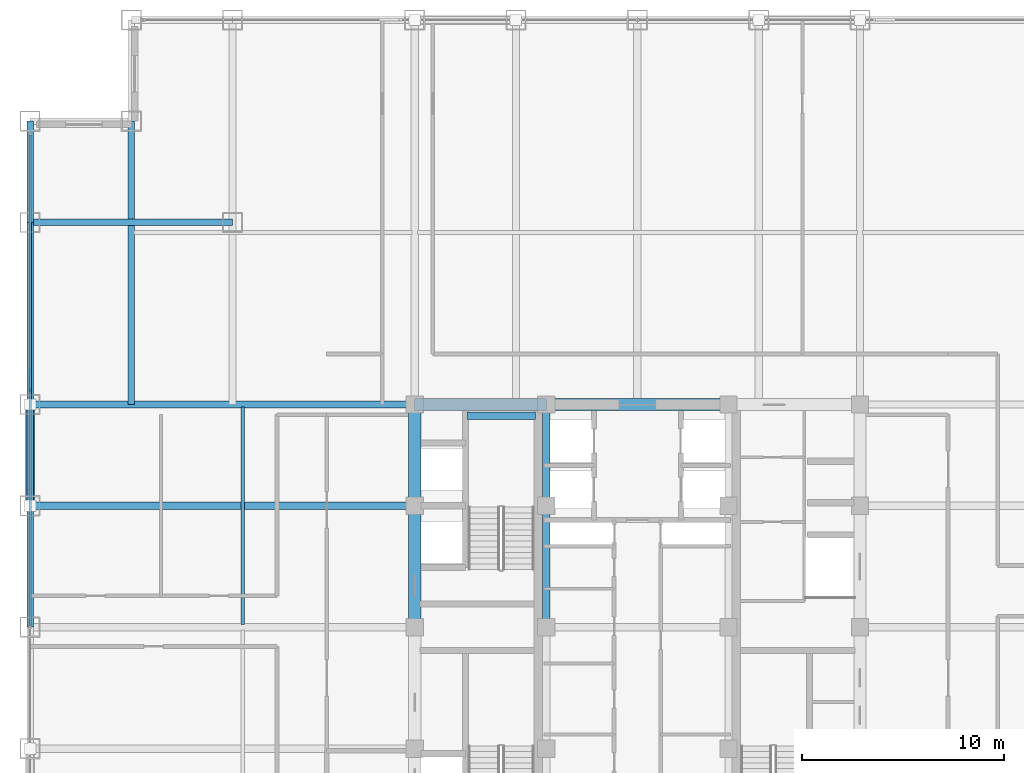
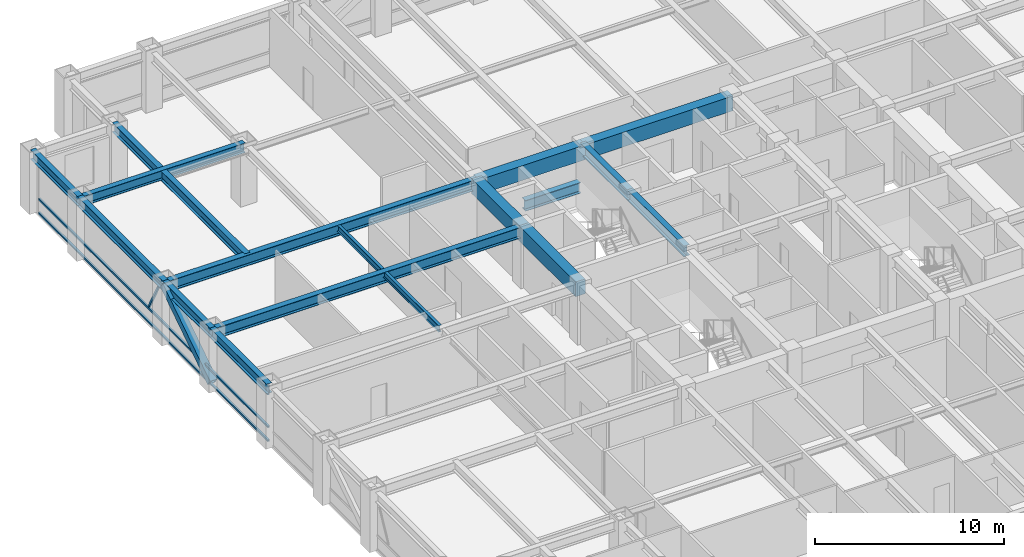
# One storey, part 11 of 24: 16 beams, 5 members, 1 element without a shape of its own.
"""IFC4 building model written with IfcOpenShell, lengths in metres."""

from ifc_helpers import new_model, si_unit, direction, frame, origin, origin_2d, place, context, subcontext, project, spatial, rectangle, hollow_rectangle, i_section, extrude, source, transform, mapped, material, material_profile, profile_set, type_object, element, aggregate, save


model = new_model("IFC4")

# Units and contexts
model_context = context("Model", 3, precision=1e-05, world=origin(), true_north=direction((0.0, 1.0)))
body_context = subcontext(model_context, "Body", "Model", "MODEL_VIEW")
ifc_project = project(units=[si_unit("LENGTHUNIT", "METRE"), si_unit("AREAUNIT", "SQUARE_METRE"), si_unit("VOLUMEUNIT", "CUBIC_METRE"), si_unit("PLANEANGLEUNIT", "RADIAN"), si_unit("MASSUNIT", "GRAM", prefix="KILO")], contexts=[model_context])

# Site, building, storey
site_placement = place(None, origin())
site = spatial("IfcSite", under=ifc_project, at=site_placement, CompositionType="ELEMENT")
building_placement = place(site_placement, origin())
building = spatial("IfcBuilding", under=site, at=building_placement, Name="Khorayat Bourse Tower", CompositionType="ELEMENT")
storey_placement = place(building_placement, frame((0.0, 0.0, 215.10009765625)))
storey = spatial("IfcBuildingStorey", under=building, at=storey_placement, Name="L50", CompositionType="ELEMENT", Elevation=215.10009765625)

# Beams
ifc_material_1 = material(Name="Steel ASTM A992 Grade 50", Category="steel")
ifc_material_profile_1 = material_profile(ifc_material_1, i_section(OverallWidth=0.35498046875, OverallDepth=0.695068359375, WebThickness=0.015380859375, FlangeThickness=0.02490234375, FilletRadius=0.01806640625, at=origin_2d()), Name="W690X217")
ifc_profile_set_1 = profile_set([ifc_material_profile_1], Name="Steel ASTM A992 Grade 50")
beam_type_1 = type_object("IfcBeamType", Name="BM-GIRD-690", PredefinedType="BEAM", material=ifc_profile_set_1)
shared_shape_1 = source(origin(), body_context, "Body", "SweptSolid", [
    extrude(i_section(OverallWidth=0.35498046875, OverallDepth=0.695068359375, WebThickness=0.015380859375, FlangeThickness=0.02490234375, FilletRadius=0.01806640625, at=origin_2d()), origin(), (0.0, 0.0, 1.0), 5.0),
])
beam_1_placement = place(storey_placement, frame((-4.5, 6.0, 3.432373046875), z_axis=(0.0, 1.0, 0.0), x_axis=(-1.0, 0.0, 0.0)))
element("IfcBeam", 1, at=beam_1_placement, inside=storey, type_object=beam_type_1, Name="L50 BM-GIRD-690 BM-L50-CRX-08", PredefinedType="BEAM", context=body_context, shape_type="MappedRepresentation", body=[
    mapped(shared_shape_1, transform((0.0, 0.0, 0.0), scale=1.0)),
])
shared_shape_2 = source(origin(), body_context, "Body", "SweptSolid", [
    extrude(i_section(OverallWidth=0.35498046875, OverallDepth=0.695068359375, WebThickness=0.015380859375, FlangeThickness=0.02490234375, FilletRadius=0.01806640625, at=origin_2d()), origin(), (0.0, 0.0, 1.0), 6.0),
])
beam_2_placement = place(storey_placement, frame((-4.5, 0.0, 3.432373046875), z_axis=(0.0, 1.0, 0.0), x_axis=(-1.0, 0.0, 0.0)))
element("IfcBeam", 2, at=beam_2_placement, inside=storey, type_object=beam_type_1, Name="L50 BM-GIRD-690 BM-L50-CRX-07", PredefinedType="BEAM", context=body_context, shape_type="MappedRepresentation", body=[
    mapped(shared_shape_2, transform((0.0, 0.0, 0.0), scale=1.0)),
])
shared_shape_3 = source(origin(), body_context, "Body", "SweptSolid", [
    extrude(i_section(OverallWidth=0.35498046875, OverallDepth=0.695068359375, WebThickness=0.015380859375, FlangeThickness=0.02490234375, FilletRadius=0.01806640625, at=origin_2d()), origin(), (0.0, 0.0, 1.0), 3.39990234375),
])
beam_3_placement = place(storey_placement, frame((-8.419921875, 10.449951171875, 1.452392578125), z_axis=(1.0, 0.0, 0.0), x_axis=(0.0, 1.0, 0.0)))
element("IfcBeam", 3, at=beam_3_placement, inside=storey, type_object=beam_type_1, Name="L50 BM-GIRD-690 BM-L50-ST2L", PredefinedType="BEAM", context=body_context, shape_type="MappedRepresentation", body=[
    mapped(shared_shape_3, transform((0.0, 0.0, 0.0), scale=1.0)),
])
ifc_material_profile_2 = material_profile(ifc_material_1, i_section(OverallWidth=0.324951171875, OverallDepth=0.615966796875, WebThickness=0.013916015625, FlangeThickness=0.021484375, FilletRadius=0.01611328125, at=origin_2d()), Name="W610X174")
ifc_profile_set_2 = profile_set([ifc_material_profile_2], Name="Steel ASTM A992 Grade 50")
beam_type_2 = type_object("IfcBeamType", Name="BM-GIRD-610", PredefinedType="BEAM", material=ifc_profile_set_2)
shared_shape_4 = source(origin(), body_context, "Body", "SweptSolid", [
    extrude(i_section(OverallWidth=0.324951171875, OverallDepth=0.615966796875, WebThickness=0.013916015625, FlangeThickness=0.021484375, FilletRadius=0.01611328125, at=origin_2d()), origin(), (0.0, 0.0, 1.0), 10.0),
])
beam_4_placement = place(storey_placement, frame((-30.0, 20.0, 3.471923828125), z_axis=(1.0, 0.0, 0.0), x_axis=(0.0, 1.0, 0.0)))
element("IfcBeam", 4, at=beam_4_placement, inside=storey, type_object=beam_type_2, Name="L50 BM-GIRD-610 BM-L50-CNRX-095", PredefinedType="BEAM", context=body_context, shape_type="MappedRepresentation", body=[
    mapped(shared_shape_4, transform((0.0, 0.0, 0.0), scale=1.0)),
])
ifc_material_profile_3 = material_profile(ifc_material_1, i_section(OverallWidth=0.180908203125, OverallDepth=0.4169921875, WebThickness=0.010986328125, FlangeThickness=0.018310546875, FilletRadius=0.011962890625, at=origin_2d()), Name="W410X85")
ifc_profile_set_3 = profile_set([ifc_material_profile_3], Name="Steel ASTM A992 Grade 50")
beam_type_3 = type_object("IfcBeamType", Name="BM-JOIST-410", PredefinedType="JOIST", material=ifc_profile_set_3)
shared_shape_5 = source(origin(), body_context, "Body", "SweptSolid", [
    extrude(i_section(OverallWidth=0.180908203125, OverallDepth=0.4169921875, WebThickness=0.010986328125, FlangeThickness=0.018310546875, FilletRadius=0.011962890625, at=origin_2d()), origin(), (0.0, 0.0, 1.0), 10.740234375),
])
beam_5_placement = place(storey_placement, frame((-19.5, 0.1298828125, 3.5712890625), z_axis=(0.0, 1.0, 0.0), x_axis=(-1.0, 0.0, 0.0)))
element("IfcBeam", 5, at=beam_5_placement, inside=storey, type_object=beam_type_3, Name="L50 BM-JOIST-410 BM-L50-JSTY-103", PredefinedType="JOIST", context=body_context, shape_type="MappedRepresentation", body=[
    mapped(shared_shape_5, transform((0.0, 0.0, 0.0), scale=1.0)),
])
ifc_material_profile_4 = material_profile(ifc_material_1, i_section(OverallWidth=0.324951171875, OverallDepth=0.615966796875, WebThickness=0.013916015625, FlangeThickness=0.021484375, FilletRadius=0.01611328125, at=origin_2d()), Name="W610X174")
ifc_profile_set_4 = profile_set([ifc_material_profile_4], Name="Steel ASTM A992 Grade 50")
beam_type_4 = type_object("IfcBeamType", Name="BM-SPAN-610", PredefinedType="SPANDREL", material=ifc_profile_set_4)
shared_shape_6 = source(origin(), body_context, "Body", "SweptSolid", [
    extrude(i_section(OverallWidth=0.324951171875, OverallDepth=0.615966796875, WebThickness=0.013916015625, FlangeThickness=0.021484375, FilletRadius=0.01611328125, at=origin_2d()), origin(), (0.0, 0.0, 1.0), 9.0),
])
beam_6_placement = place(storey_placement, frame((-30.0, 11.0, 3.471923828125), z_axis=(0.0, 1.0, 0.0), x_axis=(-1.0, 0.0, 0.0)))
element("IfcBeam", 6, at=beam_6_placement, inside=storey, type_object=beam_type_4, Name="L50 BM-SPAN-610 BM-L50-SPN-055", PredefinedType="SPANDREL", context=body_context, shape_type="MappedRepresentation", body=[
    mapped(shared_shape_6, transform((0.0, 0.0, 0.0), scale=1.0)),
])
shared_shape_7 = source(origin(), body_context, "Body", "SweptSolid", [
    extrude(i_section(OverallWidth=0.324951171875, OverallDepth=0.615966796875, WebThickness=0.013916015625, FlangeThickness=0.021484375, FilletRadius=0.01611328125, at=origin_2d()), origin(), (0.0, 0.0, 1.0), 5.0),
])
for number, where, z_axis, x_axis, name in (
    (7, (-30.0, 20.0, 3.471923828125), (0.0, 1.0, 0.0), (-1.0, 0.0, 0.0), "L50 BM-SPAN-610 BM-L50-SPN-054"),
    (8, (-30.0, 6.0, 3.471923828125), (0.0, 1.0, 0.0), (-1.0, 0.0, 0.0), "L50 BM-SPAN-610 BM-L50-SPN-056"),
):
    element("IfcBeam", number, at=place(storey_placement, frame(where, z_axis=z_axis, x_axis=x_axis)), inside=storey, type_object=beam_type_4, Name=name, PredefinedType="SPANDREL", context=body_context, shape_type="MappedRepresentation", body=[
        mapped(shared_shape_7, transform((0.0, 0.0, 0.0), scale=1.0)),
    ])
shared_shape_8 = source(origin(), body_context, "Body", "SweptSolid", [
    extrude(i_section(OverallWidth=0.324951171875, OverallDepth=0.615966796875, WebThickness=0.013916015625, FlangeThickness=0.021484375, FilletRadius=0.01611328125, at=origin_2d()), origin(), (0.0, 0.0, 1.0), 6.0),
])
beam_7_placement = place(storey_placement, frame((-30.0, 0.0, 3.471923828125), z_axis=(0.0, 1.0, 0.0), x_axis=(-1.0, 0.0, 0.0)))
element("IfcBeam", 9, at=beam_7_placement, inside=storey, type_object=beam_type_4, Name="L50 BM-SPAN-610 BM-L50-SPN-057", PredefinedType="SPANDREL", context=body_context, shape_type="MappedRepresentation", body=[
    mapped(shared_shape_8, transform((0.0, 0.0, 0.0), scale=1.0)),
])
ifc_material_2 = material(Name="Concrete C60/75", Category="concrete")
ifc_material_profile_5 = material_profile(ifc_material_2, rectangle(XDim=0.60009765625, YDim=0.949951171875, at=origin_2d()), Name="RC 600x950")
ifc_profile_set_5 = profile_set([ifc_material_profile_5], Name="Concrete C60/75")
beam_type_5 = type_object("IfcBeamType", Name="BM-COUP-950", PredefinedType="BEAM", material=ifc_profile_set_5)
shared_shape_9 = source(origin(), body_context, "Body", "SweptSolid", [
    extrude(rectangle(XDim=0.60009765625, YDim=0.949951171875, at=origin_2d()), origin(), (0.0, 0.0, 1.0), 5.0),
])
beam_8_placement = place(storey_placement, frame((-11.0, 6.0, 3.304931640625), z_axis=(0.0, 1.0, 0.0), x_axis=(-1.0, 0.0, 0.0)))
element("IfcBeam", 10, at=beam_8_placement, inside=storey, type_object=beam_type_5, Name="L50 BM-COUP-950 BM-L50-CRX-04", PredefinedType="BEAM", context=body_context, shape_type="MappedRepresentation", body=[
    mapped(shared_shape_9, transform((0.0, 0.0, 0.0), scale=1.0)),
])
shared_shape_10 = source(origin(), body_context, "Body", "SweptSolid", [
    extrude(rectangle(XDim=0.60009765625, YDim=0.949951171875, at=origin_2d()), origin(), (0.0, 0.0, 1.0), 6.0),
])
beam_9_placement = place(storey_placement, frame((-11.0, 0.0, 3.304931640625), z_axis=(0.0, 1.0, 0.0), x_axis=(-1.0, 0.0, 0.0)))
element("IfcBeam", 11, at=beam_9_placement, inside=storey, type_object=beam_type_5, Name="L50 BM-COUP-950 BM-L50-CRX-03", PredefinedType="BEAM", context=body_context, shape_type="MappedRepresentation", body=[
    mapped(shared_shape_10, transform((0.0, 0.0, 0.0), scale=1.0)),
])
shared_shape_11 = source(origin(), body_context, "Body", "SweptSolid", [
    extrude(rectangle(XDim=0.60009765625, YDim=0.949951171875, at=origin_2d()), origin(), (0.0, 0.0, 1.0), 6.5),
])
beam_10_placement = place(storey_placement, frame((-11.0, 11.0, 3.304931640625), z_axis=(1.0, 0.0, 0.0), x_axis=(0.0, 1.0, 0.0)))
element("IfcBeam", 12, at=beam_10_placement, inside=storey, type_object=beam_type_5, Name="L50 BM-COUP-950 BM-L50-CRY-20", PredefinedType="BEAM", context=body_context, shape_type="MappedRepresentation", body=[
    mapped(shared_shape_11, transform((0.0, 0.0, 0.0), scale=1.0)),
])
shared_shape_12 = source(origin(), body_context, "Body", "SweptSolid", [
    extrude(rectangle(XDim=0.60009765625, YDim=0.949951171875, at=origin_2d()), origin(), (0.0, 0.0, 1.0), 9.0),
])
beam_11_placement = place(storey_placement, frame((-4.5, 11.0, 3.304931640625), z_axis=(1.0, 0.0, 0.0), x_axis=(0.0, 1.0, 0.0)))
element("IfcBeam", 13, at=beam_11_placement, inside=storey, type_object=beam_type_5, Name="L50 BM-COUP-950 BM-L50-CRY-21", PredefinedType="BEAM", context=body_context, shape_type="MappedRepresentation", body=[
    mapped(shared_shape_12, transform((0.0, 0.0, 0.0), scale=1.0)),
])
shared_shape_13 = source(origin(), body_context, "Body", "SweptSolid", [
    extrude(i_section(OverallWidth=0.35498046875, OverallDepth=0.695068359375, WebThickness=0.015380859375, FlangeThickness=0.02490234375, FilletRadius=0.01806640625, at=origin_2d()), origin(), (0.0, 0.0, 1.0), 19.0),
])
for number, where, z_axis, x_axis, name in (
    (14, (-30.0, 6.0, 3.432373046875), (1.0, 0.0, 0.0), (0.0, 1.0, 0.0), "L50 BM-GIRD-690 BM-L50-RADX-081"),
    (15, (-30.0, 11.0, 3.432373046875), (1.0, 0.0, 0.0), (0.0, 1.0, 0.0), "L50 BM-GIRD-690 BM-L50-RADX-083"),
):
    element("IfcBeam", number, at=place(storey_placement, frame(where, z_axis=z_axis, x_axis=x_axis)), inside=storey, type_object=beam_type_1, Name=name, PredefinedType="BEAM", context=body_context, shape_type="MappedRepresentation", body=[
        mapped(shared_shape_13, transform((0.0, 0.0, 0.0), scale=1.0)),
    ])
shared_shape_14 = source(origin(), body_context, "Body", "SweptSolid", [
    extrude(i_section(OverallWidth=0.324951171875, OverallDepth=0.615966796875, WebThickness=0.013916015625, FlangeThickness=0.021484375, FilletRadius=0.01611328125, at=origin_2d()), origin(), (0.0, 0.0, 1.0), 14.0),
])
beam_12_placement = place(storey_placement, frame((-25.0, 11.0, 3.471923828125), z_axis=(0.0, 1.0, 0.0), x_axis=(-1.0, 0.0, 0.0)))
element("IfcBeam", 16, at=beam_12_placement, inside=storey, type_object=beam_type_2, Name="L50 BM-GIRD-610 BM-L50-CNRY-089", PredefinedType="BEAM", context=body_context, shape_type="MappedRepresentation", body=[
    mapped(shared_shape_14, transform((0.0, 0.0, 0.0), scale=1.0)),
])

# Member
ifc_material_3 = material(Name="Steel EN 10025-4 S460M", Category="steel")
ifc_material_profile_6 = material_profile(ifc_material_3, hollow_rectangle(XDim=0.449951171875, YDim=0.449951171875, WallThickness=0.02490234375, at=origin_2d()), Name="HSS 450x450x25")
ifc_profile_set_6 = profile_set([ifc_material_profile_6], Name="Steel EN 10025-4 S460M")
member_type_1 = type_object("IfcMemberType", Name="MBR-TUBE-450", PredefinedType="BRACE", material=ifc_profile_set_6)
shared_shape_15 = source(origin(), body_context, "Body", "SweptSolid", [
    extrude(hollow_rectangle(XDim=0.449951171875, YDim=0.449951171875, WallThickness=0.02490234375, at=origin_2d()), origin(), (0.0, 0.0, 1.0), 5.979736328125),
])
member_1_placement = place(storey_placement, frame((-30.0, 6.0, 0.25), z_axis=(0.0, 0.836160261256, 0.548485202623), x_axis=(-1.0, 0.0, 0.0)))
element("IfcMember", 17, at=member_1_placement, inside=storey, type_object=member_type_1, Name="L50 Perimeter Tube Brace 06", PredefinedType="BRACE", context=body_context, shape_type="MappedRepresentation", body=[
    mapped(shared_shape_15, transform((0.0, 0.0, 0.0), scale=1.0)),
])

# Curtain wall, members
ifc_material_4 = material(Name="Aluminium EN AW-6063 T6", Category="aluminium")
curtain_wall_type = type_object("IfcCurtainWallType", Name="CW-SYS-03", PredefinedType="NOTDEFINED", material=ifc_material_4)
curtain_wall_placement = place(storey_placement, origin())
curtain_wall = element("IfcCurtainWall", 18, at=curtain_wall_placement, inside=storey, type_object=curtain_wall_type, Name="L50 Curtain Wall CW-L50-W1", PredefinedType="NOTDEFINED")
ifc_material_profile_7 = material_profile(ifc_material_4, hollow_rectangle(XDim=0.1201171875, YDim=0.1201171875, WallThickness=0.0048828125, at=origin_2d()), Name="ALU 120x120x5")
ifc_profile_set_7 = profile_set([ifc_material_profile_7], Name="Aluminium EN AW-6063 T6")
member_type_2 = type_object("IfcMemberType", Name="CWM-DIAG-120", PredefinedType="MULLION", material=ifc_profile_set_7)
shared_shape_16 = source(origin(), body_context, "Body", "SweptSolid", [
    extrude(hollow_rectangle(XDim=0.1201171875, YDim=0.1201171875, WallThickness=0.0048828125, at=origin_2d()), origin(), (0.0, 0.0, 1.0), 2.079345703125),
])
member_2_placement = place(storey_placement, frame((-30.0, 12.67919921875, 1.08984375), z_axis=(0.0, -0.465760949701, 0.884910581773), x_axis=(1.0, 0.0, 0.0)))
member_2 = element("IfcMember", 19, at=member_2_placement, type_object=member_type_2, Name="CW-L50-W1 Faceted Diagonal Mullion 2", PredefinedType="MULLION", context=body_context, shape_type="MappedRepresentation", body=[
    mapped(shared_shape_16, transform((0.0, 0.0, 0.0), scale=1.0)),
])
ifc_material_profile_8 = material_profile(ifc_material_4, hollow_rectangle(XDim=0.1201171875, YDim=0.1201171875, WallThickness=0.0048828125, at=origin_2d()), Name="ALU 120x120x5")
ifc_profile_set_8 = profile_set([ifc_material_profile_8], Name="Aluminium EN AW-6063 T6")
member_type_3 = type_object("IfcMemberType", Name="CWT-HORZ-120", PredefinedType="USERDEFINED", material=ifc_profile_set_8)
shared_shape_17 = source(origin(), body_context, "Body", "SweptSolid", [
    extrude(hollow_rectangle(XDim=0.1201171875, YDim=0.1201171875, WallThickness=0.0048828125, at=origin_2d()), origin(), (0.0, 0.0, 1.0), 24.27001953125),
])
member_3_placement = place(storey_placement, frame((-30.0, 0.06005859375, 0.059814453125), z_axis=(0.0, 1.0, 0.0), x_axis=(-1.0, 0.0, 0.0)))
member_3 = element("IfcMember", 20, at=member_3_placement, type_object=member_type_3, Name="CW-L50-W1 Horizontal Transom 2-1", ObjectType="TRANSOM", PredefinedType="USERDEFINED", context=body_context, shape_type="MappedRepresentation", body=[
    mapped(shared_shape_17, transform((0.0, 0.0, 0.0), scale=1.0)),
])
member_4_placement = place(storey_placement, frame((-30.0, 0.06005859375, 0.949951171875), z_axis=(0.0, 1.0, 0.0), x_axis=(-1.0, 0.0, 0.0)))
member_4 = element("IfcMember", 21, at=member_4_placement, type_object=member_type_3, Name="CW-L50-W1 Horizontal Transom 2-2", ObjectType="TRANSOM", PredefinedType="USERDEFINED", context=body_context, shape_type="MappedRepresentation", body=[
    mapped(shared_shape_17, transform((0.0, 0.0, 0.0), scale=1.0)),
])
member_5_placement = place(storey_placement, frame((-30.0, 0.06005859375, 3.06982421875), z_axis=(0.0, 1.0, 0.0), x_axis=(-1.0, 0.0, 0.0)))
member_5 = element("IfcMember", 22, at=member_5_placement, type_object=member_type_3, Name="CW-L50-W1 Horizontal Transom 2-3", ObjectType="TRANSOM", PredefinedType="USERDEFINED", context=body_context, shape_type="MappedRepresentation", body=[
    mapped(shared_shape_17, transform((0.0, 0.0, 0.0), scale=1.0)),
])
aggregate(curtain_wall, [member_3, member_4, member_5, member_2])

save(model, "model.ifc")
